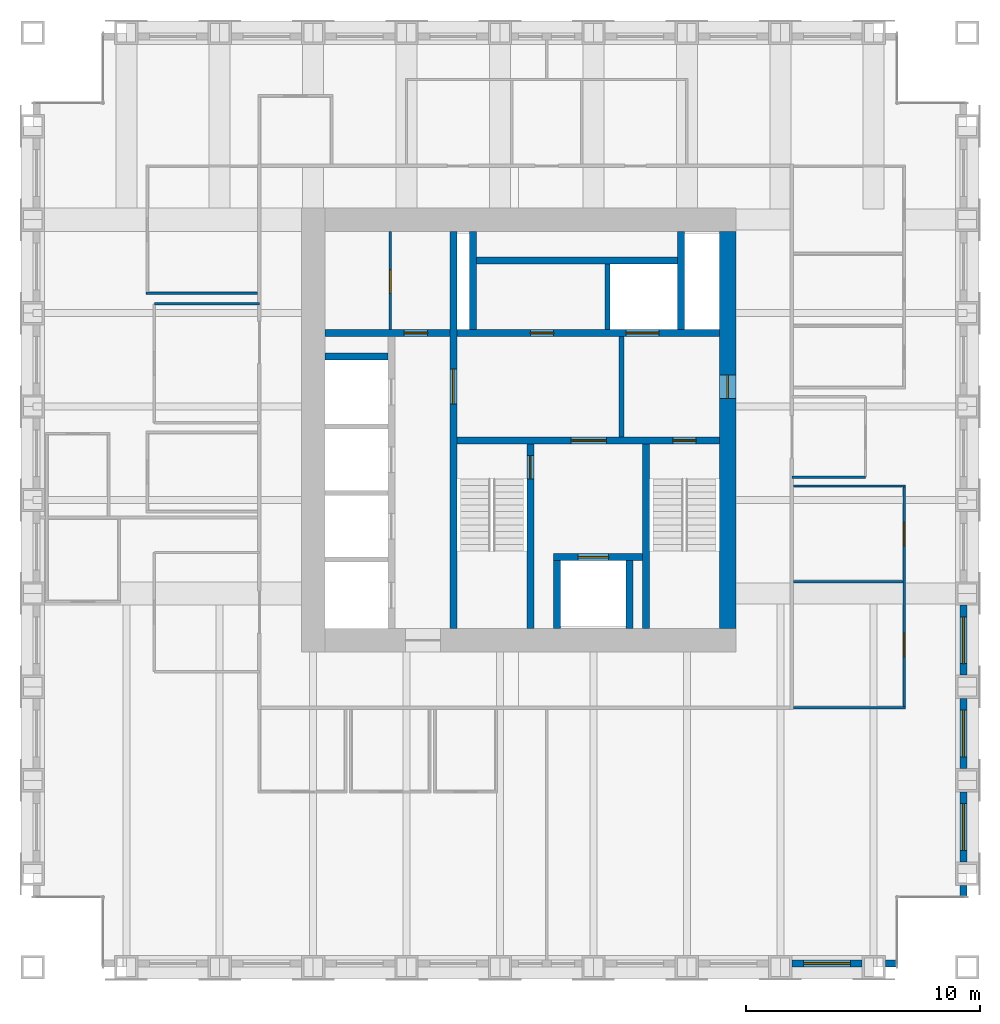
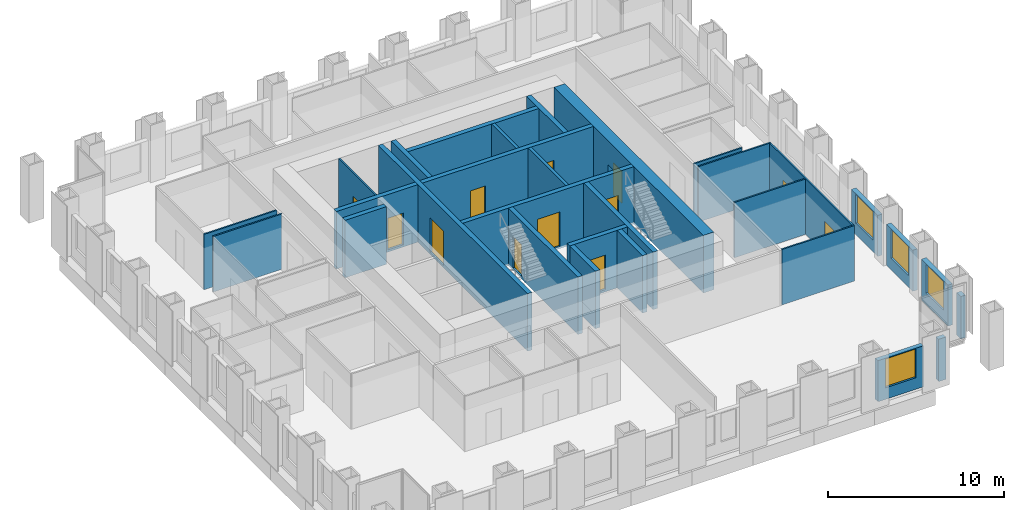
# One storey, part 9 of 13: 30 walls, 12 doors, 4 windows, 16 openings.
"""IFC4 building model written with IfcOpenShell, lengths in metres."""

from ifc_helpers import new_model, si_unit, direction, frame, frame_2d, origin, place, context, subcontext, project, spatial, rectangle, extrude, material, layer, layer_set, type_object, element, fill, save


model = new_model("IFC4")

# Units and contexts
model_context = context("Model", 3, precision=1e-05, world=origin(), true_north=direction((0.0, 1.0)))
body_context = subcontext(model_context, "Body", "Model", "MODEL_VIEW")
ifc_project = project(units=[si_unit("LENGTHUNIT", "METRE"), si_unit("AREAUNIT", "SQUARE_METRE"), si_unit("VOLUMEUNIT", "CUBIC_METRE"), si_unit("PLANEANGLEUNIT", "RADIAN"), si_unit("MASSUNIT", "GRAM", prefix="KILO")], contexts=[model_context])

# Site, building, storey
site_placement = place(None, origin())
site = spatial("IfcSite", under=ifc_project, at=site_placement, CompositionType="ELEMENT")
building_placement = place(site_placement, origin())
building = spatial("IfcBuilding", under=site, at=building_placement, Name="Rimbunsela Tower", CompositionType="ELEMENT")
storey_placement = place(building_placement, frame((0.0, 0.0, 286.199951171875)))
storey = spatial("IfcBuildingStorey", under=building, at=storey_placement, Name="L69", CompositionType="ELEMENT", Elevation=286.199951171875)

# Wall, opening, door
ifc_material_1 = material(Name="Concrete fc' 80 MPa", Category="concrete")
ifc_layer_1 = layer(ifc_material_1, 0.300048828125)
ifc_layer_set_1 = layer_set([ifc_layer_1], Name="Core internal wall 300")
wall_type_1 = type_object("IfcWallType", Name="Core internal wall 300", PredefinedType="SHEAR", material=ifc_layer_set_1)
wall_1_placement = place(storey_placement, frame((24.0, 18.5, -0.14990234375), z_axis=(0.0, 0.0, 1.0), x_axis=(0.0, 1.0, 0.0)))
wall_1 = element("IfcWall", 1, at=wall_1_placement, inside=storey, type_object=wall_type_1, Name="Core wall at stair A", PredefinedType="SHEAR", context=body_context, shape_type="SweptSolid", body=[
    extrude(rectangle(XDim=17.0, YDim=0.300048828125, at=frame_2d((8.5, 0.0))), origin(), (0.0, 0.0, 1.0), 4.0),
])
opening_1_placement = place(wall_1_placement, frame((9.60009765625, 0.0, 0.14990234375)))
opening_1 = element("IfcOpeningElement", 2, at=opening_1_placement, cuts=wall_1, Name="Opening D03", PredefinedType="OPENING", context=body_context, shape_type="SweptSolid", body=[
    extrude(rectangle(XDim=1.5, YDim=2.39990234375, at=frame_2d((0.75, 1.199951171875))), frame((0.0, 0.159912109375, 0.0), z_axis=(0.0, -1.0, 0.0), x_axis=(1.0, 0.0, 0.0)), (0.0, 0.0, 1.0), 0.320068359375),
])
ifc_material_2 = material(Name="Steel door, fire rated", Category="steel")
door_type_1 = type_object("IfcDoorType", Name="Core lobby door 1500", OperationType="DOUBLE_DOOR_DOUBLE_SWING", PredefinedType="DOOR", material=ifc_material_2)
door_1_placement = place(opening_1_placement, origin())
door_1 = element("IfcDoor", 3, at=door_1_placement, inside=storey, type_object=door_type_1, Name="West lobby door", OperationType="DOUBLE_DOOR_DOUBLE_SWING", OverallHeight=2.39990234375, OverallWidth=1.5, PredefinedType="DOOR", context=body_context, shape_type="SweptSolid", body=[
    extrude(rectangle(XDim=1.5, YDim=2.39990234375, at=frame_2d((0.75, 1.199951171875))), frame((0.0, 0.02490234375, 0.0), z_axis=(0.0, -1.0, 0.0), x_axis=(1.0, 0.0, 0.0)), (0.0, 0.0, 1.0), 0.050048828125),
])
fill(opening_1, door_1)

# Wall, openings, doors
wall_2_placement = place(storey_placement, frame((24.14990234375, 26.550048828125, -0.14990234375), z_axis=(0.0, 0.0, 1.0), x_axis=(1.0, 0.0, 0.0)))
wall_2 = element("IfcWall", 4, at=wall_2_placement, inside=storey, type_object=wall_type_1, Name="Core wall lobby south", PredefinedType="SHEAR", context=body_context, shape_type="SweptSolid", body=[
    extrude(rectangle(XDim=11.25, YDim=0.300048828125, at=frame_2d((5.625, 0.0))), origin(), (0.0, 0.0, 1.0), 4.0),
])
opening_2_placement = place(wall_2_placement, frame((9.25, 0.0, 0.14990234375)))
opening_2 = element("IfcOpeningElement", 5, at=opening_2_placement, cuts=wall_2, Name="Opening D01", PredefinedType="OPENING", context=body_context, shape_type="SweptSolid", body=[
    extrude(rectangle(XDim=1.0, YDim=2.199951171875, at=frame_2d((0.5, 1.10009765625))), frame((0.0, 0.159912109375, 0.0), z_axis=(0.0, -1.0, 0.0), x_axis=(1.0, 0.0, 0.0)), (0.0, 0.0, 1.0), 0.320068359375),
])
opening_3_placement = place(wall_2_placement, frame((4.89990234375, 0.0, 0.14990234375)))
opening_3 = element("IfcOpeningElement", 6, at=opening_3_placement, cuts=wall_2, Name="Opening D03", PredefinedType="OPENING", context=body_context, shape_type="SweptSolid", body=[
    extrude(rectangle(XDim=1.5, YDim=2.39990234375, at=frame_2d((0.75, 1.199951171875))), frame((0.0, 0.159912109375, 0.0), z_axis=(0.0, -1.0, 0.0), x_axis=(1.0, 0.0, 0.0)), (0.0, 0.0, 1.0), 0.320068359375),
])
door_2_placement = place(opening_3_placement, origin())
door_2 = element("IfcDoor", 7, at=door_2_placement, inside=storey, type_object=door_type_1, Name="Firefighting lobby door", OperationType="DOUBLE_DOOR_DOUBLE_SWING", OverallHeight=2.39990234375, OverallWidth=1.5, PredefinedType="DOOR", context=body_context, shape_type="SweptSolid", body=[
    extrude(rectangle(XDim=1.5, YDim=2.39990234375, at=frame_2d((0.75, 1.199951171875))), frame((0.0, 0.02490234375, 0.0), z_axis=(0.0, -1.0, 0.0), x_axis=(1.0, 0.0, 0.0)), (0.0, 0.0, 1.0), 0.050048828125),
])
fill(opening_3, door_2)
ifc_material_3 = material(Name="Steel door, fire rated", Category="steel")
door_type_2 = type_object("IfcDoorType", Name="Stair door 1000", OperationType="SINGLE_SWING_RIGHT", PredefinedType="DOOR", material=ifc_material_3)
door_3_placement = place(opening_2_placement, frame((1.0, 0.0, 0.0), z_axis=(0.0, 0.0, 1.0), x_axis=(-1.0, 0.0, 0.0)))
door_3 = element("IfcDoor", 8, at=door_3_placement, inside=storey, type_object=door_type_2, Name="Stair B door", OperationType="SINGLE_SWING_RIGHT", OverallHeight=2.199951171875, OverallWidth=1.0, PredefinedType="DOOR", context=body_context, shape_type="SweptSolid", body=[
    extrude(rectangle(XDim=1.0, YDim=2.199951171875, at=frame_2d((0.5, 1.10009765625))), frame((0.0, 0.02490234375, 0.0), z_axis=(0.0, -1.0, 0.0), x_axis=(1.0, 0.0, 0.0)), (0.0, 0.0, 1.0), 0.050048828125),
])
fill(opening_2, door_3)

# Wall, opening, door
wall_3_placement = place(storey_placement, frame((27.300048828125, 18.5, -0.14990234375), z_axis=(0.0, 0.0, 1.0), x_axis=(0.0, 1.0, 0.0)))
wall_3 = element("IfcWall", 9, at=wall_3_placement, inside=storey, type_object=wall_type_1, Name="Stair A enclosure", PredefinedType="SHEAR", context=body_context, shape_type="SweptSolid", body=[
    extrude(rectangle(XDim=7.89990234375, YDim=0.300048828125, at=frame_2d((3.949951171875, 0.0))), origin(), (0.0, 0.0, 1.0), 4.0),
])
opening_4_placement = place(wall_3_placement, frame((6.39990234375, 0.0, 0.14990234375)))
opening_4 = element("IfcOpeningElement", 10, at=opening_4_placement, cuts=wall_3, Name="Opening D01", PredefinedType="OPENING", context=body_context, shape_type="SweptSolid", body=[
    extrude(rectangle(XDim=1.0, YDim=2.199951171875, at=frame_2d((0.5, 1.10009765625))), frame((0.0, 0.159912109375, 0.0), z_axis=(0.0, -1.0, 0.0), x_axis=(1.0, 0.0, 0.0)), (0.0, 0.0, 1.0), 0.320068359375),
])
door_4_placement = place(opening_4_placement, origin())
door_4 = element("IfcDoor", 11, at=door_4_placement, inside=storey, type_object=door_type_2, Name="Stair A door", OperationType="SINGLE_SWING_RIGHT", OverallHeight=2.199951171875, OverallWidth=1.0, PredefinedType="DOOR", context=body_context, shape_type="SweptSolid", body=[
    extrude(rectangle(XDim=1.0, YDim=2.199951171875, at=frame_2d((0.5, 1.10009765625))), frame((0.0, 0.02490234375, 0.0), z_axis=(0.0, -1.0, 0.0), x_axis=(1.0, 0.0, 0.0)), (0.0, 0.0, 1.0), 0.050048828125),
])
fill(opening_4, door_4)

# Walls
wall_4_placement = place(storey_placement, frame((32.25, 18.5, -0.14990234375), z_axis=(0.0, 0.0, 1.0), x_axis=(0.0, 1.0, 0.0)))
element("IfcWall", 12, at=wall_4_placement, inside=storey, type_object=wall_type_1, Name="Stair B enclosure", PredefinedType="SHEAR", context=body_context, shape_type="SweptSolid", body=[
    extrude(rectangle(XDim=7.89990234375, YDim=0.300048828125, at=frame_2d((3.949951171875, 0.0))), origin(), (0.0, 0.0, 1.0), 4.0),
])
for number, where, z_axis, x_axis, name in (
    (13, (28.449951171875, 18.5, -0.14990234375), (0.0, 0.0, 1.0), (0.0, 1.0, 0.0), "Firefighting lift shaft west"),
    (14, (31.550048828125, 18.5, -0.14990234375), (0.0, 0.0, 1.0), (0.0, 1.0, 0.0), "Firefighting lift shaft east"),
):
    element("IfcWall", number, at=place(storey_placement, frame(where, z_axis=z_axis, x_axis=x_axis)), inside=storey, type_object=wall_type_1, Name=name, PredefinedType="SHEAR", context=body_context, shape_type="SweptSolid", body=[
        extrude(rectangle(XDim=2.89990234375, YDim=0.300048828125, at=frame_2d((1.449951171875, 0.0))), origin(), (0.0, 0.0, 1.0), 4.0),
    ])

# Wall, opening, door
wall_5_placement = place(storey_placement, frame((28.300048828125, 21.550048828125, -0.14990234375), z_axis=(0.0, 0.0, 1.0), x_axis=(1.0, 0.0, 0.0)))
wall_5 = element("IfcWall", 15, at=wall_5_placement, inside=storey, type_object=wall_type_1, Name="Firefighting lift shaft front", PredefinedType="SHEAR", context=body_context, shape_type="SweptSolid", body=[
    extrude(rectangle(XDim=3.800048828125, YDim=0.300048828125, at=frame_2d((1.89990234375, 0.0))), origin(), (0.0, 0.0, 1.0), 4.0),
])
opening_5_placement = place(wall_5_placement, frame((1.050048828125, 0.0, 0.14990234375)))
opening_5 = element("IfcOpeningElement", 16, at=opening_5_placement, cuts=wall_5, Name="Opening LD2", PredefinedType="OPENING", context=body_context, shape_type="SweptSolid", body=[
    extrude(rectangle(XDim=1.300048828125, YDim=2.39990234375, at=frame_2d((0.64990234375, 1.199951171875))), frame((0.0, 0.159912109375, 0.0), z_axis=(0.0, -1.0, 0.0), x_axis=(1.0, 0.0, 0.0)), (0.0, 0.0, 1.0), 0.320068359375),
])
ifc_material_4 = material(Name="Steel door, fire rated", Category="steel")
door_type_3 = type_object("IfcDoorType", Name="Lift landing door 1300", OperationType="DOUBLE_DOOR_SLIDING", PredefinedType="DOOR", material=ifc_material_4)
door_5_placement = place(opening_5_placement, origin())
door_5 = element("IfcDoor", 17, at=door_5_placement, inside=storey, type_object=door_type_3, Name="Lift landing door FL1", OperationType="DOUBLE_DOOR_SLIDING", OverallHeight=2.39990234375, OverallWidth=1.300048828125, PredefinedType="DOOR", context=body_context, shape_type="SweptSolid", body=[
    extrude(rectangle(XDim=1.300048828125, YDim=2.39990234375, at=frame_2d((0.64990234375, 1.199951171875))), frame((0.0, 0.02490234375, 0.0), z_axis=(0.0, -1.0, 0.0), x_axis=(1.0, 0.0, 0.0)), (0.0, 0.0, 1.0), 0.050048828125),
])
fill(opening_5, door_5)

# Wall, openings, doors
wall_6_placement = place(storey_placement, frame((24.14990234375, 31.14990234375, -0.14990234375), z_axis=(0.0, 0.0, 1.0), x_axis=(1.0, 0.0, 0.0)))
wall_6 = element("IfcWall", 18, at=wall_6_placement, inside=storey, type_object=wall_type_1, Name="Lift shaft front north", PredefinedType="SHEAR", context=body_context, shape_type="SweptSolid", body=[
    extrude(rectangle(XDim=11.25, YDim=0.300048828125, at=frame_2d((5.625, 0.0))), origin(), (0.0, 0.0, 1.0), 4.0),
])
opening_6_placement = place(wall_6_placement, frame((3.14990234375, 0.0, 0.14990234375)))
opening_6 = element("IfcOpeningElement", 19, at=opening_6_placement, cuts=wall_6, Name="Opening D19", PredefinedType="OPENING", context=body_context, shape_type="SweptSolid", body=[
    extrude(rectangle(XDim=1.0, YDim=2.199951171875, at=frame_2d((0.5, 1.10009765625))), frame((0.0, 0.159912109375, 0.0), z_axis=(0.0, -1.0, 0.0), x_axis=(1.0, 0.0, 0.0)), (0.0, 0.0, 1.0), 0.320068359375),
])
opening_7_placement = place(wall_6_placement, frame((7.25, 0.0, 0.14990234375)))
opening_7 = element("IfcOpeningElement", 20, at=opening_7_placement, cuts=wall_6, Name="Opening LD3", PredefinedType="OPENING", context=body_context, shape_type="SweptSolid", body=[
    extrude(rectangle(XDim=1.39990234375, YDim=2.39990234375, at=frame_2d((0.699951171875, 1.199951171875))), frame((0.0, 0.159912109375, 0.0), z_axis=(0.0, -1.0, 0.0), x_axis=(1.0, 0.0, 0.0)), (0.0, 0.0, 1.0), 0.320068359375),
])
ifc_material_5 = material(Name="Steel door, fire rated", Category="steel")
door_type_4 = type_object("IfcDoorType", Name="Lift landing door 1400", OperationType="DOUBLE_DOOR_SLIDING", PredefinedType="DOOR", material=ifc_material_5)
door_6_placement = place(opening_7_placement, origin())
door_6 = element("IfcDoor", 21, at=door_6_placement, inside=storey, type_object=door_type_4, Name="Lift landing door FL2", OperationType="DOUBLE_DOOR_SLIDING", OverallHeight=2.39990234375, OverallWidth=1.39990234375, PredefinedType="DOOR", context=body_context, shape_type="SweptSolid", body=[
    extrude(rectangle(XDim=1.39990234375, YDim=2.39990234375, at=frame_2d((0.699951171875, 1.199951171875))), frame((0.0, 0.02490234375, 0.0), z_axis=(0.0, -1.0, 0.0), x_axis=(1.0, 0.0, 0.0)), (0.0, 0.0, 1.0), 0.050048828125),
])
fill(opening_7, door_6)
ifc_material_6 = material(Name="Steel door, fire rated", Category="steel")
door_type_5 = type_object("IfcDoorType", Name="Service door 1000 fire rated", OperationType="SINGLE_SWING_LEFT", PredefinedType="DOOR", material=ifc_material_6)
door_7_placement = place(opening_6_placement, origin())
door_7 = element("IfcDoor", 22, at=door_7_placement, inside=storey, type_object=door_type_5, Name="Equipment store door", OperationType="SINGLE_SWING_LEFT", OverallHeight=2.199951171875, OverallWidth=1.0, PredefinedType="DOOR", context=body_context, shape_type="SweptSolid", body=[
    extrude(rectangle(XDim=1.0, YDim=2.199951171875, at=frame_2d((0.5, 1.10009765625))), frame((0.0, 0.02490234375, 0.0), z_axis=(0.0, -1.0, 0.0), x_axis=(1.0, 0.0, 0.0)), (0.0, 0.0, 1.0), 0.050048828125),
])
fill(opening_6, door_7)

# Wall, opening, door
wall_7_placement = place(storey_placement, frame((18.5, 31.14990234375, -0.14990234375), z_axis=(0.0, 0.0, 1.0), x_axis=(1.0, 0.0, 0.0)))
wall_7 = element("IfcWall", 23, at=wall_7_placement, inside=storey, type_object=wall_type_1, Name="Store wall", PredefinedType="SHEAR", context=body_context, shape_type="SweptSolid", body=[
    extrude(rectangle(XDim=5.35009765625, YDim=0.300048828125, at=frame_2d((2.675048828125, 0.0))), origin(), (0.0, 0.0, 1.0), 4.0),
])
opening_8_placement = place(wall_7_placement, frame((3.39990234375, 0.0, 0.14990234375)))
opening_8 = element("IfcOpeningElement", 24, at=opening_8_placement, cuts=wall_7, Name="Opening D19", PredefinedType="OPENING", context=body_context, shape_type="SweptSolid", body=[
    extrude(rectangle(XDim=1.0, YDim=2.199951171875, at=frame_2d((0.5, 1.10009765625))), frame((0.0, 0.159912109375, 0.0), z_axis=(0.0, -1.0, 0.0), x_axis=(1.0, 0.0, 0.0)), (0.0, 0.0, 1.0), 0.320068359375),
])
door_8_placement = place(opening_8_placement, origin())
door_8 = element("IfcDoor", 25, at=door_8_placement, inside=storey, type_object=door_type_5, Name="Facilities store door", OperationType="SINGLE_SWING_LEFT", OverallHeight=2.199951171875, OverallWidth=1.0, PredefinedType="DOOR", context=body_context, shape_type="SweptSolid", body=[
    extrude(rectangle(XDim=1.0, YDim=2.199951171875, at=frame_2d((0.5, 1.10009765625))), frame((0.0, 0.02490234375, 0.0), z_axis=(0.0, -1.0, 0.0), x_axis=(1.0, 0.0, 0.0)), (0.0, 0.0, 1.0), 0.050048828125),
])
fill(opening_8, door_8)

# Walls
wall_8_placement = place(storey_placement, frame((18.5, 30.14990234375, -0.14990234375), z_axis=(0.0, 0.0, 1.0), x_axis=(1.0, 0.0, 0.0)))
element("IfcWall", 26, at=wall_8_placement, inside=storey, type_object=wall_type_1, Name="Lift shaft rear west", PredefinedType="SHEAR", context=body_context, shape_type="SweptSolid", body=[
    extrude(rectangle(XDim=2.699951171875, YDim=0.300048828125, at=frame_2d((1.35009765625, 0.0))), origin(), (0.0, 0.0, 1.0), 4.0),
])
for number, where, z_axis, x_axis, name in (
    (27, (24.85009765625, 31.300048828125, -0.14990234375), (0.0, 0.0, 1.0), (0.0, 1.0, 0.0), "Riser wall"),
    (28, (33.75, 31.300048828125, -0.14990234375), (0.0, 0.0, 1.0), (0.0, 1.0, 0.0), "Riser wall"),
):
    element("IfcWall", number, at=place(storey_placement, frame(where, z_axis=z_axis, x_axis=x_axis)), inside=storey, type_object=wall_type_1, Name=name, PredefinedType="SHEAR", context=body_context, shape_type="SweptSolid", body=[
        extrude(rectangle(XDim=4.199951171875, YDim=0.300048828125, at=frame_2d((2.10009765625, 0.0))), origin(), (0.0, 0.0, 1.0), 4.0),
    ])
wall_9_placement = place(storey_placement, frame((25.0, 34.25, -0.14990234375), z_axis=(0.0, 0.0, 1.0), x_axis=(1.0, 0.0, 0.0)))
element("IfcWall", 29, at=wall_9_placement, inside=storey, type_object=wall_type_1, Name="Lift shaft rear north", PredefinedType="SHEAR", context=body_context, shape_type="SweptSolid", body=[
    extrude(rectangle(XDim=8.60009765625, YDim=0.300048828125, at=frame_2d((4.300048828125, 0.0))), origin(), (0.0, 0.0, 1.0), 4.0),
])

# Wall, opening, door
ifc_material_7 = material(Name="Concrete blockwork", Category="masonry")
ifc_layer_2 = layer(ifc_material_7, 0.10009765625)
ifc_layer_set_2 = layer_set([ifc_layer_2], Name="Core room partition 100")
wall_type_2 = type_object("IfcWallType", Name="Core room partition 100", PredefinedType="PARTITIONING", material=ifc_layer_set_2)
wall_10_placement = place(storey_placement, frame((21.300048828125, 31.300048828125, 0.0), z_axis=(0.0, 0.0, 1.0), x_axis=(0.0, 1.0, 0.0)))
wall_10 = element("IfcWall", 30, at=wall_10_placement, inside=storey, type_object=wall_type_2, Name="Housekeeping store wall", PredefinedType="PARTITIONING", context=body_context, shape_type="SweptSolid", body=[
    extrude(rectangle(XDim=4.199951171875, YDim=0.10009765625, at=frame_2d((2.10009765625, 0.0))), origin(), (0.0, 0.0, 1.0), 3.85009765625),
])
opening_9_placement = place(wall_10_placement, frame((1.550048828125, 0.0, 0.0)))
opening_9 = element("IfcOpeningElement", 31, at=opening_9_placement, cuts=wall_10, Name="Opening D19", PredefinedType="OPENING", context=body_context, shape_type="SweptSolid", body=[
    extrude(rectangle(XDim=1.0, YDim=2.199951171875, at=frame_2d((0.5, 1.10009765625))), frame((0.0, 0.06005859375, 0.0), z_axis=(0.0, -1.0, 0.0), x_axis=(1.0, 0.0, 0.0)), (0.0, 0.0, 1.0), 0.1201171875),
])
door_9_placement = place(opening_9_placement, origin())
door_9 = element("IfcDoor", 32, at=door_9_placement, inside=storey, type_object=door_type_5, Name="Housekeeping store door", OperationType="SINGLE_SWING_LEFT", OverallHeight=2.199951171875, OverallWidth=1.0, PredefinedType="DOOR", context=body_context, shape_type="SweptSolid", body=[
    extrude(rectangle(XDim=1.0, YDim=2.199951171875, at=frame_2d((0.5, 1.10009765625))), frame((0.0, 0.02490234375, 0.0), z_axis=(0.0, -1.0, 0.0), x_axis=(1.0, 0.0, 0.0)), (0.0, 0.0, 1.0), 0.050048828125),
])
fill(opening_9, door_9)

ifc_material_8 = material(Name="Concrete fc' 80 MPa", Category="concrete")
ifc_layer_3 = layer(ifc_material_8, 0.699951171875)
ifc_layer_set_3 = layer_set([ifc_layer_3], Name="Core wall 700 east")
wall_type_3 = type_object("IfcWallType", Name="Core wall 700 east", PredefinedType="SHEAR", material=ifc_layer_set_3)
wall_11_placement = place(storey_placement, frame((35.75, 18.5, -0.14990234375), z_axis=(0.0, 0.0, 1.0), x_axis=(0.0, 1.0, 0.0)))
wall_11 = element("IfcWall", 33, at=wall_11_placement, inside=storey, type_object=wall_type_3, Name="Core wall east", PredefinedType="SHEAR", context=body_context, shape_type="SweptSolid", body=[
    extrude(rectangle(XDim=17.0, YDim=0.699951171875, at=frame_2d((8.5, 0.0))), origin(), (0.0, 0.0, 1.0), 4.0),
])
opening_10_placement = place(wall_11_placement, frame((9.85009765625, 0.0, 0.14990234375)))
opening_10 = element("IfcOpeningElement", 34, at=opening_10_placement, cuts=wall_11, Name="Opening D01", PredefinedType="OPENING", context=body_context, shape_type="SweptSolid", body=[
    extrude(rectangle(XDim=1.0, YDim=2.199951171875, at=frame_2d((0.5, 1.10009765625))), frame((0.0, 0.35986328125, 0.0), z_axis=(0.0, -1.0, 0.0), x_axis=(1.0, 0.0, 0.0)), (0.0, 0.0, 1.0), 0.719970703125),
])
door_10_placement = place(opening_10_placement, origin())
door_10 = element("IfcDoor", 35, at=door_10_placement, inside=storey, type_object=door_type_2, Name="Firefighting lobby 2 door", OperationType="SINGLE_SWING_RIGHT", OverallHeight=2.199951171875, OverallWidth=1.0, PredefinedType="DOOR", context=body_context, shape_type="SweptSolid", body=[
    extrude(rectangle(XDim=1.0, YDim=2.199951171875, at=frame_2d((0.5, 1.10009765625))), frame((0.0, 0.02490234375, 0.0), z_axis=(0.0, -1.0, 0.0), x_axis=(1.0, 0.0, 0.0)), (0.0, 0.0, 1.0), 0.050048828125),
])
fill(opening_10, door_10)

# Walls
ifc_material_9 = material(Name="Concrete blockwork", Category="masonry")
ifc_layer_4 = layer(ifc_material_9, 0.199951171875)
ifc_layer_set_4 = layer_set([ifc_layer_4], Name="Lift shaft wall 200")
wall_type_4 = type_object("IfcWallType", Name="Lift shaft wall 200", PredefinedType="SOLIDWALL", material=ifc_layer_set_4)
wall_12_placement = place(storey_placement, frame((30.60009765625, 31.300048828125, -0.14990234375), z_axis=(0.0, 0.0, 1.0), x_axis=(0.0, 1.0, 0.0)))
element("IfcWall", 36, at=wall_12_placement, inside=storey, type_object=wall_type_4, Name="Lift shaft separation", PredefinedType="SOLIDWALL", context=body_context, shape_type="SweptSolid", body=[
    extrude(rectangle(XDim=2.800048828125, YDim=0.199951171875, at=frame_2d((1.39990234375, 0.0))), origin(), (0.0, 0.0, 1.0), 4.0),
])
wall_13_placement = place(storey_placement, frame((31.199951171875, 26.699951171875, 0.0), z_axis=(0.0, 0.0, 1.0), x_axis=(0.0, 1.0, 0.0)))
element("IfcWall", 37, at=wall_13_placement, inside=storey, type_object=wall_type_4, Name="Firefighting lobby 2 wall", PredefinedType="SOLIDWALL", context=body_context, shape_type="SweptSolid", body=[
    extrude(rectangle(XDim=4.300048828125, YDim=0.199951171875, at=frame_2d((2.14990234375, 0.0))), origin(), (0.0, 0.0, 1.0), 3.85009765625),
])
ifc_material_10 = material(Name="Gypsum board on steel studs", Category="steel")
ifc_layer_5 = layer(ifc_material_10, 0.10009765625)
ifc_layer_set_5 = layer_set([ifc_layer_5], Name="Office partition 100")
wall_type_5 = type_object("IfcWallType", Name="Office partition 100", PredefinedType="PARTITIONING", material=ifc_layer_set_5)
wall_14_placement = place(storey_placement, frame((38.574951171875, 15.10009765625, 0.0), z_axis=(0.0, 0.0, 1.0), x_axis=(1.0, 0.0, 0.0)))
element("IfcWall", 38, at=wall_14_placement, inside=storey, type_object=wall_type_5, Name="Office partition", PredefinedType="PARTITIONING", context=body_context, shape_type="SweptSolid", body=[
    extrude(rectangle(XDim=4.775146484375, YDim=0.10009765625, at=frame_2d((2.3876953125, 0.0))), origin(), (0.0, 0.0, 1.0), 3.85009765625),
])
wall_15_placement = place(storey_placement, frame((38.574951171875, 20.5, 0.0), z_axis=(0.0, 0.0, 1.0), x_axis=(1.0, 0.0, 0.0)))
element("IfcWall", 39, at=wall_15_placement, inside=storey, type_object=wall_type_5, Name="Office partition", PredefinedType="PARTITIONING", context=body_context, shape_type="SweptSolid", body=[
    extrude(rectangle(XDim=4.675048828125, YDim=0.10009765625, at=frame_2d((2.33740234375, 0.0))), origin(), (0.0, 0.0, 1.0), 3.85009765625),
])
wall_16_placement = place(storey_placement, frame((38.574951171875, 24.60009765625, 0.0), z_axis=(0.0, 0.0, 1.0), x_axis=(1.0, 0.0, 0.0)))
element("IfcWall", 40, at=wall_16_placement, inside=storey, type_object=wall_type_5, Name="Office partition", PredefinedType="PARTITIONING", context=body_context, shape_type="SweptSolid", body=[
    extrude(rectangle(XDim=4.775146484375, YDim=0.10009765625, at=frame_2d((2.3876953125, 0.0))), origin(), (0.0, 0.0, 1.0), 3.85009765625),
])
wall_17_placement = place(storey_placement, frame((10.85009765625, 32.85009765625, 0.0), z_axis=(0.0, 0.0, 1.0), x_axis=(1.0, 0.0, 0.0)))
element("IfcWall", 41, at=wall_17_placement, inside=storey, type_object=wall_type_5, Name="Office partition", PredefinedType="PARTITIONING", context=body_context, shape_type="SweptSolid", body=[
    extrude(rectangle(XDim=4.77490234375, YDim=0.10009765625, at=frame_2d((2.387451171875, 0.0))), origin(), (0.0, 0.0, 1.0), 3.85009765625),
])

# Wall, openings, doors
wall_18_placement = place(storey_placement, frame((43.300048828125, 15.14990234375, 0.0), z_axis=(0.0, 0.0, 1.0), x_axis=(0.0, 1.0, 0.0)))
wall_18 = element("IfcWall", 42, at=wall_18_placement, inside=storey, type_object=wall_type_5, Name="Office partition", PredefinedType="PARTITIONING", context=body_context, shape_type="SweptSolid", body=[
    extrude(rectangle(XDim=9.400146484375, YDim=0.10009765625, at=frame_2d((4.7001953125, 0.0))), origin(), (0.0, 0.0, 1.0), 3.85009765625),
])
opening_11_placement = place(wall_18_placement, frame((2.14990234375, 0.0, 0.0)))
opening_11 = element("IfcOpeningElement", 43, at=opening_11_placement, cuts=wall_18, Name="Opening D17", PredefinedType="OPENING", context=body_context, shape_type="SweptSolid", body=[
    extrude(rectangle(XDim=1.0, YDim=2.199951171875, at=frame_2d((0.5, 1.10009765625))), frame((0.0, 0.06005859375, 0.0), z_axis=(0.0, -1.0, 0.0), x_axis=(1.0, 0.0, 0.0)), (0.0, 0.0, 1.0), 0.1201171875),
])
opening_12_placement = place(wall_18_placement, frame((6.89990234375, 0.0, 0.0)))
opening_12 = element("IfcOpeningElement", 44, at=opening_12_placement, cuts=wall_18, Name="Opening D16", PredefinedType="OPENING", context=body_context, shape_type="SweptSolid", body=[
    extrude(rectangle(XDim=1.0, YDim=2.199951171875, at=frame_2d((0.5, 1.10009765625))), frame((0.0, 0.06005859375, 0.0), z_axis=(0.0, -1.0, 0.0), x_axis=(1.0, 0.0, 0.0)), (0.0, 0.0, 1.0), 0.1201171875),
])
ifc_material_11 = material(Name="Glazed aluminium door", Category="aluminium")
door_type_6 = type_object("IfcDoorType", Name="Meeting room door 1000 glazed", OperationType="SINGLE_SWING_RIGHT", PredefinedType="DOOR", material=ifc_material_11)
door_11_placement = place(opening_11_placement, origin())
door_11 = element("IfcDoor", 45, at=door_11_placement, inside=storey, type_object=door_type_6, Name="Meeting room door", OperationType="SINGLE_SWING_RIGHT", OverallHeight=2.199951171875, OverallWidth=1.0, PredefinedType="DOOR", context=body_context, shape_type="SweptSolid", body=[
    extrude(rectangle(XDim=1.0, YDim=2.199951171875, at=frame_2d((0.5, 1.10009765625))), frame((0.0, 0.02490234375, 0.0), z_axis=(0.0, -1.0, 0.0), x_axis=(1.0, 0.0, 0.0)), (0.0, 0.0, 1.0), 0.050048828125),
])
fill(opening_11, door_11)
ifc_material_12 = material(Name="Timber door", Category="wood")
door_type_7 = type_object("IfcDoorType", Name="Office door 1000", OperationType="SINGLE_SWING_LEFT", PredefinedType="DOOR", material=ifc_material_12)
door_12_placement = place(opening_12_placement, origin())
door_12 = element("IfcDoor", 46, at=door_12_placement, inside=storey, type_object=door_type_7, Name="Office door", OperationType="SINGLE_SWING_LEFT", OverallHeight=2.199951171875, OverallWidth=1.0, PredefinedType="DOOR", context=body_context, shape_type="SweptSolid", body=[
    extrude(rectangle(XDim=1.0, YDim=2.199951171875, at=frame_2d((0.5, 1.10009765625))), frame((0.0, 0.02490234375, 0.0), z_axis=(0.0, -1.0, 0.0), x_axis=(1.0, 0.0, 0.0)), (0.0, 0.0, 1.0), 0.050048828125),
])
fill(opening_12, door_12)

# Walls
wall_19_placement = place(storey_placement, frame((15.699951171875, 32.39990234375, 0.0), z_axis=(0.0, 0.0, 1.0), x_axis=(-1.0, 0.0, 0.0)))
element("IfcWall", 47, at=wall_19_placement, inside=storey, type_object=wall_type_5, Name="Office partition", PredefinedType="PARTITIONING", context=body_context, shape_type="SweptSolid", body=[
    extrude(rectangle(XDim=4.5, YDim=0.10009765625, at=frame_2d((2.25, 0.0))), origin(), (0.0, 0.0, 1.0), 3.85009765625),
])
wall_20_placement = place(storey_placement, frame((38.5, 24.97509765625, 0.0), z_axis=(0.0, 0.0, 1.0), x_axis=(1.0, 0.0, 0.0)))
element("IfcWall", 48, at=wall_20_placement, inside=storey, type_object=wall_type_5, Name="Office partition", PredefinedType="PARTITIONING", context=body_context, shape_type="SweptSolid", body=[
    extrude(rectangle(XDim=3.14990234375, YDim=0.10009765625, at=frame_2d((1.574951171875, 0.0))), origin(), (0.0, 0.0, 1.0), 3.85009765625),
])

# Wall, opening, window
ifc_material_13 = material(Name="Precast concrete fc' 35 MPa", Category="concrete")
ifc_layer_6 = layer(ifc_material_13, 0.300048828125)
ifc_layer_set_6 = layer_set([ifc_layer_6], Name="Precast concrete fc' 35 MPa")
wall_type_6 = type_object("IfcWallType", Name="Precast facade panel 300", PredefinedType="ELEMENTEDWALL", material=ifc_layer_set_6)
wall_21_placement = place(storey_placement, frame((38.5, 4.14990234375, 0.0), z_axis=(0.0, 0.0, 1.0), x_axis=(1.0, 0.0, 0.0)))
wall_21 = element("IfcWall", 49, at=wall_21_placement, inside=storey, type_object=wall_type_6, Name="Facade panel S L69", PredefinedType="ELEMENTEDWALL", context=body_context, shape_type="SweptSolid", body=[
    extrude(rectangle(XDim=3.0, YDim=0.300048828125, at=frame_2d((1.5, 0.0))), origin(), (0.0, 0.0, 1.0), 2.85009765625),
])
opening_13_placement = place(wall_21_placement, frame((0.5, 0.0, 0.800048828125)))
opening_13 = element("IfcOpeningElement", 50, at=opening_13_placement, cuts=wall_21, Name="Opening W1", PredefinedType="OPENING", context=body_context, shape_type="SweptSolid", body=[
    extrude(rectangle(XDim=2.0, YDim=2.0, at=frame_2d((1.0, 1.0))), frame((0.0, 0.159912109375, 0.0), z_axis=(0.0, -1.0, 0.0), x_axis=(1.0, 0.0, 0.0)), (0.0, 0.0, 1.0), 0.320068359375),
])
ifc_material_14 = material(Name="Clear glass in aluminium frame", Category="aluminium")
window_type = type_object("IfcWindowType", Name="Window W1 2000x2000", PartitioningType="DOUBLE_PANEL_VERTICAL", PredefinedType="WINDOW", material=ifc_material_14)
window_1_placement = place(opening_13_placement, origin())
window_1 = element("IfcWindow", 51, at=window_1_placement, inside=storey, type_object=window_type, Name="Window L69", OverallHeight=2.0, OverallWidth=2.0, PartitioningType="SINGLE_PANEL", PredefinedType="WINDOW", context=body_context, shape_type="SweptSolid", body=[
    extrude(rectangle(XDim=2.0, YDim=2.0, at=frame_2d((1.0, 1.0))), frame((0.0, 0.030029296875, 0.0), z_axis=(0.0, -1.0, 0.0), x_axis=(1.0, 0.0, 0.0)), (0.0, 0.0, 1.0), 0.06005859375),
])
fill(opening_13, window_1)

# Walls
for number, where, z_axis, x_axis, name in (
    (52, (42.5, 4.14990234375, 0.0), (0.0, 0.0, 1.0), (1.0, 0.0, 0.0), "Facade panel S L69"),
    (53, (45.85009765625, 7.030029296875, 0.0), (0.0, 0.0, 1.0), (0.0, 1.0, 0.0), "Facade panel E L69"),
):
    element("IfcWall", number, at=place(storey_placement, frame(where, z_axis=z_axis, x_axis=x_axis)), inside=storey, type_object=wall_type_6, Name=name, PredefinedType="ELEMENTEDWALL", context=body_context, shape_type="SweptSolid", body=[
        extrude(rectangle(XDim=0.469970703125, YDim=0.300048828125, at=frame_2d((0.23486328125, 0.0))), origin(), (0.0, 0.0, 1.0), 2.949951171875),
    ])

# Wall, opening, window
wall_22_placement = place(storey_placement, frame((45.85009765625, 8.5, 0.0), z_axis=(0.0, 0.0, 1.0), x_axis=(0.0, 1.0, 0.0)))
wall_22 = element("IfcWall", 54, at=wall_22_placement, inside=storey, type_object=wall_type_6, Name="Facade panel E L69", PredefinedType="ELEMENTEDWALL", context=body_context, shape_type="SweptSolid", body=[
    extrude(rectangle(XDim=3.0, YDim=0.300048828125, at=frame_2d((1.5, 0.0))), origin(), (0.0, 0.0, 1.0), 2.85009765625),
])
opening_14_placement = place(wall_22_placement, frame((0.5, 0.0, 0.800048828125)))
opening_14 = element("IfcOpeningElement", 55, at=opening_14_placement, cuts=wall_22, Name="Opening W1", PredefinedType="OPENING", context=body_context, shape_type="SweptSolid", body=[
    extrude(rectangle(XDim=2.0, YDim=2.0, at=frame_2d((1.0, 1.0))), frame((0.0, 0.159912109375, 0.0), z_axis=(0.0, -1.0, 0.0), x_axis=(1.0, 0.0, 0.0)), (0.0, 0.0, 1.0), 0.320068359375),
])
window_2_placement = place(opening_14_placement, origin())
window_2 = element("IfcWindow", 56, at=window_2_placement, inside=storey, type_object=window_type, Name="Window L69", OverallHeight=2.0, OverallWidth=2.0, PartitioningType="SINGLE_PANEL", PredefinedType="WINDOW", context=body_context, shape_type="SweptSolid", body=[
    extrude(rectangle(XDim=2.0, YDim=2.0, at=frame_2d((1.0, 1.0))), frame((0.0, 0.030029296875, 0.0), z_axis=(0.0, -1.0, 0.0), x_axis=(1.0, 0.0, 0.0)), (0.0, 0.0, 1.0), 0.06005859375),
])
fill(opening_14, window_2)

wall_23_placement = place(storey_placement, frame((45.85009765625, 12.5, 0.0), z_axis=(0.0, 0.0, 1.0), x_axis=(0.0, 1.0, 0.0)))
wall_23 = element("IfcWall", 57, at=wall_23_placement, inside=storey, type_object=wall_type_6, Name="Facade panel E L69", PredefinedType="ELEMENTEDWALL", context=body_context, shape_type="SweptSolid", body=[
    extrude(rectangle(XDim=3.0, YDim=0.300048828125, at=frame_2d((1.5, 0.0))), origin(), (0.0, 0.0, 1.0), 2.85009765625),
])
opening_15_placement = place(wall_23_placement, frame((0.5, 0.0, 0.800048828125)))
opening_15 = element("IfcOpeningElement", 58, at=opening_15_placement, cuts=wall_23, Name="Opening W1", PredefinedType="OPENING", context=body_context, shape_type="SweptSolid", body=[
    extrude(rectangle(XDim=2.0, YDim=2.0, at=frame_2d((1.0, 1.0))), frame((0.0, 0.159912109375, 0.0), z_axis=(0.0, -1.0, 0.0), x_axis=(1.0, 0.0, 0.0)), (0.0, 0.0, 1.0), 0.320068359375),
])
window_3_placement = place(opening_15_placement, origin())
window_3 = element("IfcWindow", 59, at=window_3_placement, inside=storey, type_object=window_type, Name="Window L69", OverallHeight=2.0, OverallWidth=2.0, PartitioningType="SINGLE_PANEL", PredefinedType="WINDOW", context=body_context, shape_type="SweptSolid", body=[
    extrude(rectangle(XDim=2.0, YDim=2.0, at=frame_2d((1.0, 1.0))), frame((0.0, 0.030029296875, 0.0), z_axis=(0.0, -1.0, 0.0), x_axis=(1.0, 0.0, 0.0)), (0.0, 0.0, 1.0), 0.06005859375),
])
fill(opening_15, window_3)

wall_24_placement = place(storey_placement, frame((45.85009765625, 16.5, 0.0), z_axis=(0.0, 0.0, 1.0), x_axis=(0.0, 1.0, 0.0)))
wall_24 = element("IfcWall", 60, at=wall_24_placement, inside=storey, type_object=wall_type_6, Name="Facade panel E L69", PredefinedType="ELEMENTEDWALL", context=body_context, shape_type="SweptSolid", body=[
    extrude(rectangle(XDim=3.0, YDim=0.300048828125, at=frame_2d((1.5, 0.0))), origin(), (0.0, 0.0, 1.0), 2.85009765625),
])
opening_16_placement = place(wall_24_placement, frame((0.5, 0.0, 0.800048828125)))
opening_16 = element("IfcOpeningElement", 61, at=opening_16_placement, cuts=wall_24, Name="Opening W1", PredefinedType="OPENING", context=body_context, shape_type="SweptSolid", body=[
    extrude(rectangle(XDim=2.0, YDim=2.0, at=frame_2d((1.0, 1.0))), frame((0.0, 0.159912109375, 0.0), z_axis=(0.0, -1.0, 0.0), x_axis=(1.0, 0.0, 0.0)), (0.0, 0.0, 1.0), 0.320068359375),
])
window_4_placement = place(opening_16_placement, origin())
window_4 = element("IfcWindow", 62, at=window_4_placement, inside=storey, type_object=window_type, Name="Window L69", OverallHeight=2.0, OverallWidth=2.0, PartitioningType="SINGLE_PANEL", PredefinedType="WINDOW", context=body_context, shape_type="SweptSolid", body=[
    extrude(rectangle(XDim=2.0, YDim=2.0, at=frame_2d((1.0, 1.0))), frame((0.0, 0.030029296875, 0.0), z_axis=(0.0, -1.0, 0.0), x_axis=(1.0, 0.0, 0.0)), (0.0, 0.0, 1.0), 0.06005859375),
])
fill(opening_16, window_4)

save(model, "model.ifc")
